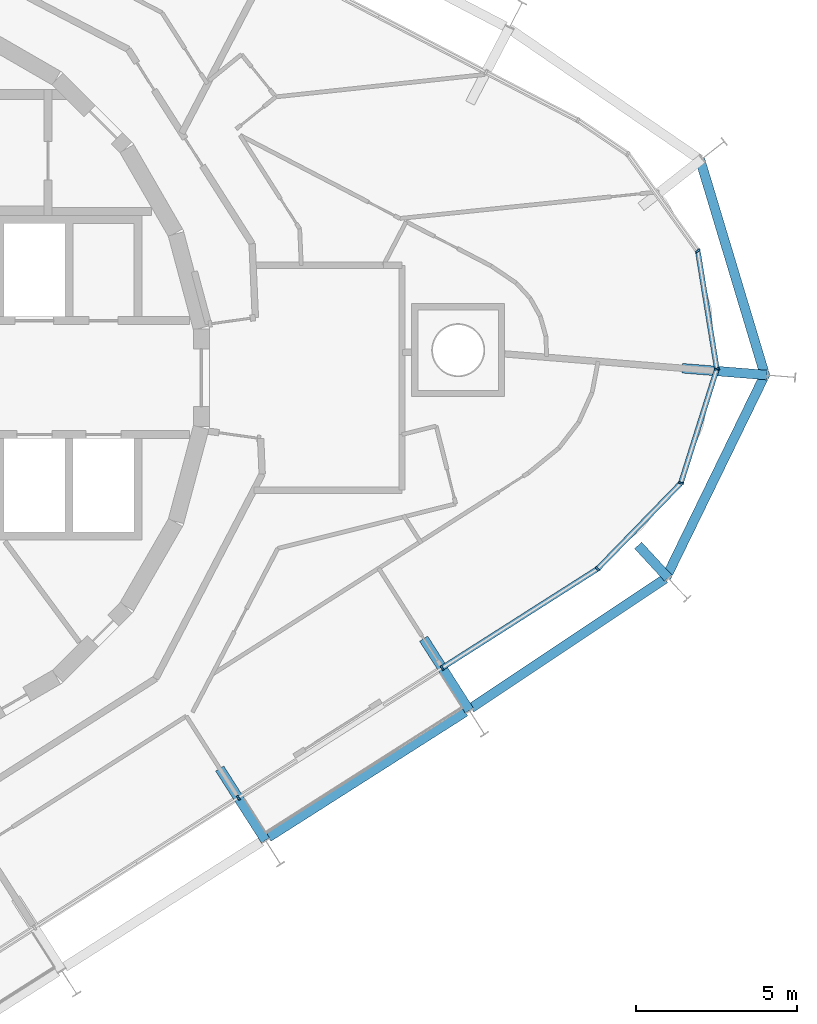
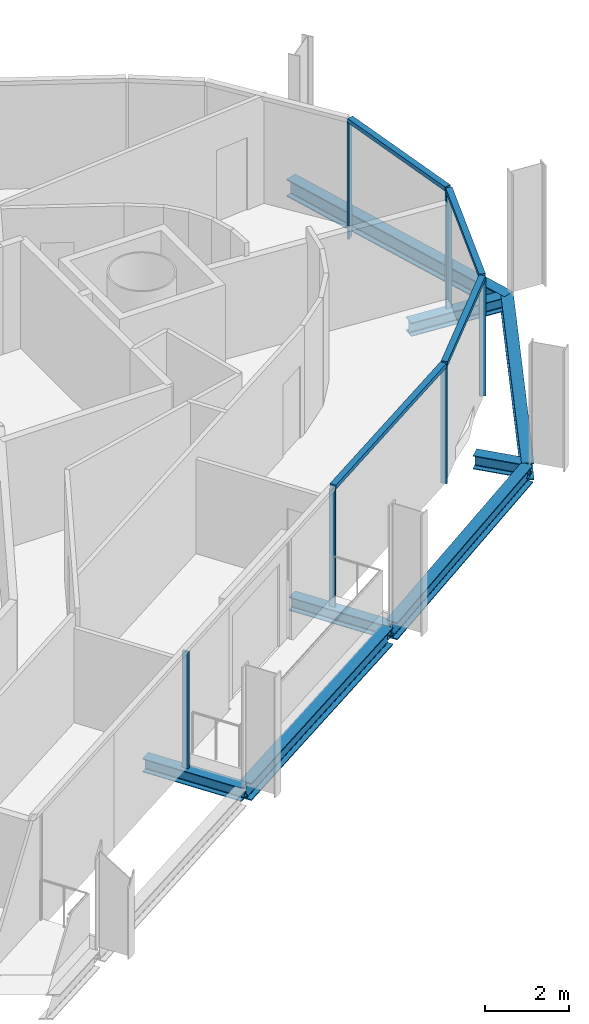
# One storey, part 5 of 18: 10 members, 8 beams, 2 elements without a shape of their own.
"""IFC4 building model written with IfcOpenShell, lengths in metres."""

from ifc_helpers import new_model, si_unit, direction, frame, origin, origin_2d, place, context, subcontext, project, spatial, rectangle, i_section, extrude, material, layer, layer_set, material_profile, profile_set, type_object, element, aggregate, save


model = new_model("IFC4")

# Units and contexts
model_context = context("Model", 3, precision=1e-05, world=origin(), true_north=direction((0.0, 1.0)))
body_context = subcontext(model_context, "Body", "Model", "MODEL_VIEW")
ifc_project = project(units=[si_unit("LENGTHUNIT", "METRE"), si_unit("AREAUNIT", "SQUARE_METRE"), si_unit("VOLUMEUNIT", "CUBIC_METRE"), si_unit("PLANEANGLEUNIT", "RADIAN"), si_unit("MASSUNIT", "GRAM", prefix="KILO")], contexts=[model_context])

# Site, building, storey
site_placement = place(None, origin())
site = spatial("IfcSite", under=ifc_project, at=site_placement, CompositionType="ELEMENT")
building_placement = place(site_placement, origin())
building = spatial("IfcBuilding", under=site, at=building_placement, Name="Spindle Arch Residences", CompositionType="ELEMENT")
storey_placement = place(building_placement, frame((0.0, 0.0, 247.699951171875)))
storey = spatial("IfcBuildingStorey", under=building, at=storey_placement, Name="L63", CompositionType="ELEMENT", Elevation=247.699951171875)

# Curtain wall, members
ifc_material_1 = material(Name="Aluminium bronze unitised frame with tinted glass", Category="aluminium")
ifc_layer_1 = layer(ifc_material_1, 0.159912109375)
ifc_layer_set_1 = layer_set([ifc_layer_1], Name="CW-D corner wall on the fillet arcs")
curtain_wall_type_1 = type_object("IfcCurtainWallType", Name="CW-D corner wall on the fillet arcs", PredefinedType="NOTDEFINED", material=ifc_layer_set_1)
curtain_wall_1_placement = place(storey_placement, origin())
curtain_wall_1 = element("IfcCurtainWall", 1, at=curtain_wall_1_placement, inside=storey, type_object=curtain_wall_type_1, Name="CW-D L63 run 1", PredefinedType="NOTDEFINED")
ifc_material_2 = material(Name="Aluminium bronze anodised mullion", Category="aluminium")
ifc_material_profile_1 = material_profile(ifc_material_2, rectangle(XDim=0.159912109375, YDim=0.06005859375, at=origin_2d()), Name="MU 60x160")
ifc_profile_set_1 = profile_set([ifc_material_profile_1], Name="Aluminium bronze anodised mullion")
member_type_1 = type_object("IfcMemberType", Name="Bronze mullion 60x160", PredefinedType="MULLION", material=ifc_profile_set_1)
member_1_placement = place(storey_placement, frame((19.151611328125, -9.0400390625, -0.3798828125), z_axis=(0.0, 0.0, 1.0), x_axis=(-0.537299608347, 0.843391445813, 0.0)))
member_1 = element("IfcMember", 2, at=member_1_placement, type_object=member_type_1, Name="CW-D mullion 00", PredefinedType="MULLION", context=body_context, shape_type="SweptSolid", body=[
    extrude(rectangle(XDim=0.159912109375, YDim=0.06005859375, at=origin_2d()), origin(), (0.0, 0.0, 1.0), 3.3798828125),
])
member_2_placement = place(storey_placement, frame((23.991455078125, -5.956787109375, -0.3798828125), z_axis=(0.0, 0.0, 1.0), x_axis=(-0.71731607908, 0.696747904692, 0.0)))
member_2 = element("IfcMember", 3, at=member_2_placement, type_object=member_type_1, Name="CW-D mullion 01", PredefinedType="MULLION", context=body_context, shape_type="SweptSolid", body=[
    extrude(rectangle(XDim=0.159912109375, YDim=0.06005859375, at=origin_2d()), origin(), (0.0, 0.0, 1.0), 3.3798828125),
])
member_3_placement = place(storey_placement, frame((26.587890625, -3.283447265625, -0.3798828125), z_axis=(0.0, 0.0, 1.0), x_axis=(-0.953716949352, 0.300705803932, 0.0)))
member_3 = element("IfcMember", 4, at=member_3_placement, type_object=member_type_1, Name="CW-D mullion 02", PredefinedType="MULLION", context=body_context, shape_type="SweptSolid", body=[
    extrude(rectangle(XDim=0.159912109375, YDim=0.06005859375, at=origin_2d()), origin(), (0.0, 0.0, 1.0), 3.3798828125),
])
member_4_placement = place(storey_placement, frame((27.708740234375, 0.270751953125, -0.3798828125), z_axis=(0.0, 0.0, 1.0), x_axis=(-0.987229114298, -0.15930686075, 0.0)))
member_4 = element("IfcMember", 5, at=member_4_placement, type_object=member_type_1, Name="CW-D mullion 03", PredefinedType="MULLION", context=body_context, shape_type="SweptSolid", body=[
    extrude(rectangle(XDim=0.159912109375, YDim=0.06005859375, at=origin_2d()), origin(), (0.0, 0.0, 1.0), 3.3798828125),
])
member_5_placement = place(storey_placement, frame((27.114990234375, 3.949951171875, -0.3798828125), z_axis=(0.0, 0.0, 1.0), x_axis=(-0.810723368962, -0.585429431289, 0.0)))
member_5 = element("IfcMember", 6, at=member_5_placement, type_object=member_type_1, Name="CW-D mullion 04", PredefinedType="MULLION", context=body_context, shape_type="SweptSolid", body=[
    extrude(rectangle(XDim=0.159912109375, YDim=0.06005859375, at=origin_2d()), origin(), (0.0, 0.0, 1.0), 3.3798828125),
])

# Curtain wall, member
ifc_material_3 = material(Name="Aluminium bronze unitised frame with tinted glass", Category="aluminium")
ifc_layer_2 = layer(ifc_material_3, 0.159912109375)
ifc_layer_set_2 = layer_set([ifc_layer_2], Name="CW-C typical residential unitised wall")
curtain_wall_type_2 = type_object("IfcCurtainWallType", Name="CW-C typical residential unitised wall", PredefinedType="NOTDEFINED", material=ifc_layer_set_2)
curtain_wall_2_placement = place(storey_placement, origin())
curtain_wall_2 = element("IfcCurtainWall", 7, at=curtain_wall_2_placement, inside=storey, type_object=curtain_wall_type_2, Name="CW-C L63 run 6", PredefinedType="NOTDEFINED")
member_6_placement = place(storey_placement, frame((12.80078125, -13.0859375, -0.3798828125), z_axis=(0.0, 0.0, 1.0), x_axis=(-0.537299608347, 0.843391445813, 0.0)))
member_6 = element("IfcMember", 8, at=member_6_placement, type_object=member_type_1, Name="CW-C mullion 00", PredefinedType="MULLION", context=body_context, shape_type="SweptSolid", body=[
    extrude(rectangle(XDim=0.159912109375, YDim=0.06005859375, at=origin_2d()), origin(), (0.0, 0.0, 1.0), 3.3798828125),
])
aggregate(curtain_wall_2, [member_6])

# Member
ifc_material_4 = material(Name="Aluminium bronze anodised transom", Category="aluminium")
ifc_material_profile_2 = material_profile(ifc_material_4, rectangle(XDim=0.159912109375, YDim=0.1201171875, at=origin_2d()), Name="TR 120x160")
ifc_profile_set_2 = profile_set([ifc_material_profile_2], Name="Aluminium bronze anodised transom")
member_type_2 = type_object("IfcMemberType", Name="Bronze transom 120x160", PredefinedType="USERDEFINED", material=ifc_profile_set_2)
member_7_placement = place(storey_placement, frame((19.177001953125, -9.02392578125, 3.06005859375), z_axis=(0.843386969226, 0.537306635115, 0.0), x_axis=(-0.537306635115, 0.843386969226, 0.0)))
member_7 = element("IfcMember", 9, at=member_7_placement, type_object=member_type_2, Name="CW-D transom 00", ObjectType="TRANSOM", PredefinedType="USERDEFINED", context=body_context, shape_type="SweptSolid", body=[
    extrude(rectangle(XDim=0.159912109375, YDim=0.1201171875, at=origin_2d()), origin(), (0.0, 0.0, 1.0), 5.678466796875),
])

member_8_placement = place(storey_placement, frame((24.01220703125, -5.93505859375, 3.06005859375), z_axis=(0.696778833098, 0.717286036213, 0.0), x_axis=(-0.717286036213, 0.696778833098, 0.0)))
member_8 = element("IfcMember", 10, at=member_8_placement, type_object=member_type_2, Name="CW-D transom 01", ObjectType="TRANSOM", PredefinedType="USERDEFINED", context=body_context, shape_type="SweptSolid", body=[
    extrude(rectangle(XDim=0.159912109375, YDim=0.1201171875, at=origin_2d()), origin(), (0.0, 0.0, 1.0), 3.666748046875),
])

member_9_placement = place(storey_placement, frame((26.596923828125, -3.2548828125, 3.06005859375), z_axis=(0.300745778047, 0.953704344641, 0.0), x_axis=(-0.953704344641, 0.300745778047, 0.0)))
member_9 = element("IfcMember", 11, at=member_9_placement, type_object=member_type_2, Name="CW-D transom 02", ObjectType="TRANSOM", PredefinedType="USERDEFINED", context=body_context, shape_type="SweptSolid", body=[
    extrude(rectangle(XDim=0.159912109375, YDim=0.1201171875, at=origin_2d()), origin(), (0.0, 0.0, 1.0), 3.666748046875),
])

member_10_placement = place(storey_placement, frame((27.703857421875, 0.300537109375, 3.06005859375), z_axis=(-0.15933292013, 0.987224908804, 0.0), x_axis=(-0.987224908804, -0.15933292013, 0.0)))
member_10 = element("IfcMember", 12, at=member_10_placement, type_object=member_type_2, Name="CW-D transom 03", ObjectType="TRANSOM", PredefinedType="USERDEFINED", context=body_context, shape_type="SweptSolid", body=[
    extrude(rectangle(XDim=0.159912109375, YDim=0.1201171875, at=origin_2d()), origin(), (0.0, 0.0, 1.0), 3.666748046875),
])

aggregate(curtain_wall_1, [member_1, member_7, member_2, member_8, member_3, member_9, member_4, member_10, member_5])

# Beams
ifc_material_5 = material(Name="Steel S460ML, intumescent coating R 120", Category="steel")
ifc_material_profile_3 = material_profile(ifc_material_5, i_section(OverallWidth=0.300048828125, OverallDepth=0.5, WebThickness=0.014404296875, FlangeThickness=0.028076171875, FilletRadius=0.027099609375, at=origin_2d()), Name="HEB 500")
ifc_profile_set_3 = profile_set([ifc_material_profile_3], Name="Steel S460ML, intumescent coating R 120")
beam_type_1 = type_object("IfcBeamType", Name="Exoskeleton edge beam HEB 500", PredefinedType="BEAM", material=ifc_profile_set_3)
beam_1_placement = place(storey_placement, frame((13.73779296875, -14.314697265625, -0.6298828125), z_axis=(0.843406961456, 0.53727525289, 0.0), x_axis=(-0.53727525289, 0.843406961456, 0.0)))
element("IfcBeam", 13, at=beam_1_placement, inside=storey, type_object=beam_type_1, Name="Exoskeleton edge beam 1", PredefinedType="BEAM", context=body_context, shape_type="SweptSolid", body=[
    extrude(i_section(OverallWidth=0.300048828125, OverallDepth=0.5, WebThickness=0.014404296875, FlangeThickness=0.028076171875, FilletRadius=0.027099609375, at=origin_2d()), origin(), (0.0, 0.0, 1.0), 7.27001953125),
])
beam_2_placement = place(storey_placement, frame((20.05224609375, -10.291015625, -0.6298828125), z_axis=(0.83190027786, 0.554925155041, 0.0), x_axis=(-0.554925155041, 0.83190027786, 0.0)))
element("IfcBeam", 14, at=beam_2_placement, inside=storey, type_object=beam_type_1, Name="Exoskeleton edge beam 2", PredefinedType="BEAM", context=body_context, shape_type="SweptSolid", body=[
    extrude(i_section(OverallWidth=0.300048828125, OverallDepth=0.5, WebThickness=0.014404296875, FlangeThickness=0.028076171875, FilletRadius=0.027099609375, at=origin_2d()), origin(), (0.0, 0.0, 1.0), 7.26220703125),
])
for number, where, z_axis, x_axis, name in (
    (15, (26.1201171875, -6.241943359375, -0.6298828125), (0.43802573961, 0.898962430494, 0.0), (-0.898962430494, 0.43802573961, 0.0), "Exoskeleton edge beam 3"),
    (16, (29.22021484375, 0.03076171875, -0.6298828125), (-0.288038985398, 0.957618683449, 0.0), (-0.957618683449, -0.288038985398, 0.0), "Exoskeleton edge beam 4"),
):
    element("IfcBeam", number, at=place(storey_placement, frame(where, z_axis=z_axis, x_axis=x_axis)), inside=storey, type_object=beam_type_1, Name=name, PredefinedType="BEAM", context=body_context, shape_type="SweptSolid", body=[
        extrude(i_section(OverallWidth=0.300048828125, OverallDepth=0.5, WebThickness=0.014404296875, FlangeThickness=0.028076171875, FilletRadius=0.027099609375, at=origin_2d()), origin(), (0.0, 0.0, 1.0), 7.096923828125),
    ])
ifc_material_6 = material(Name="Steel S460ML, intumescent coating R 120", Category="steel")
ifc_material_profile_4 = material_profile(ifc_material_6, i_section(OverallWidth=0.300048828125, OverallDepth=0.389892578125, WebThickness=0.010986328125, FlangeThickness=0.01904296875, FilletRadius=0.027099609375, at=origin_2d()), Name="HEA 400")
ifc_profile_set_4 = profile_set([ifc_material_profile_4], Name="Steel S460ML, intumescent coating R 120")
beam_type_2 = type_object("IfcBeamType", Name="Floor outrigger HEA 400", PredefinedType="BEAM", material=ifc_profile_set_4)
for number, where, z_axis, x_axis, name in (
    (17, (13.644287109375, -14.409912109375, -0.574951171875), (-0.537316570745, 0.843380639334, 0.0), (-0.843380639334, -0.537316570745, 0.0), "Floor outrigger 1"),
    (18, (19.9951171875, -10.364013671875, -0.574951171875), (-0.537316570745, 0.843380639334, 0.0), (-0.843380639334, -0.537316570745, 0.0), "Floor outrigger 2"),
):
    element("IfcBeam", number, at=place(storey_placement, frame(where, z_axis=z_axis, x_axis=x_axis)), inside=storey, type_object=beam_type_2, Name=name, PredefinedType="BEAM", context=body_context, shape_type="SweptSolid", body=[
        extrude(i_section(OverallWidth=0.300048828125, OverallDepth=0.389892578125, WebThickness=0.010986328125, FlangeThickness=0.01904296875, FilletRadius=0.027099609375, at=origin_2d()), origin(), (0.0, 0.0, 1.0), 2.64990234375),
    ])
beam_3_placement = place(storey_placement, frame((26.189697265625, -6.23828125, -0.574951171875), z_axis=(-0.677647212058, 0.735387147011, 0.0), x_axis=(-0.735387147011, -0.677647212058, 0.0)))
element("IfcBeam", 19, at=beam_3_placement, inside=storey, type_object=beam_type_2, Name="Floor outrigger 3", PredefinedType="BEAM", context=body_context, shape_type="SweptSolid", body=[
    extrude(i_section(OverallWidth=0.300048828125, OverallDepth=0.389892578125, WebThickness=0.010986328125, FlangeThickness=0.01904296875, FilletRadius=0.027099609375, at=origin_2d()), origin(), (0.0, 0.0, 1.0), 1.37841796875),
])
beam_4_placement = place(storey_placement, frame((29.268798828125, 0.080810546875, -0.574951171875), z_axis=(-0.996753470089, 0.080514097307, 0.0), x_axis=(-0.080514097307, -0.996753470089, 0.0)))
element("IfcBeam", 20, at=beam_4_placement, inside=storey, type_object=beam_type_2, Name="Floor outrigger 4", PredefinedType="BEAM", context=body_context, shape_type="SweptSolid", body=[
    extrude(i_section(OverallWidth=0.300048828125, OverallDepth=0.389892578125, WebThickness=0.010986328125, FlangeThickness=0.01904296875, FilletRadius=0.027099609375, at=origin_2d()), origin(), (0.0, 0.0, 1.0), 2.650146484375),
])

save(model, "model.ifc")
